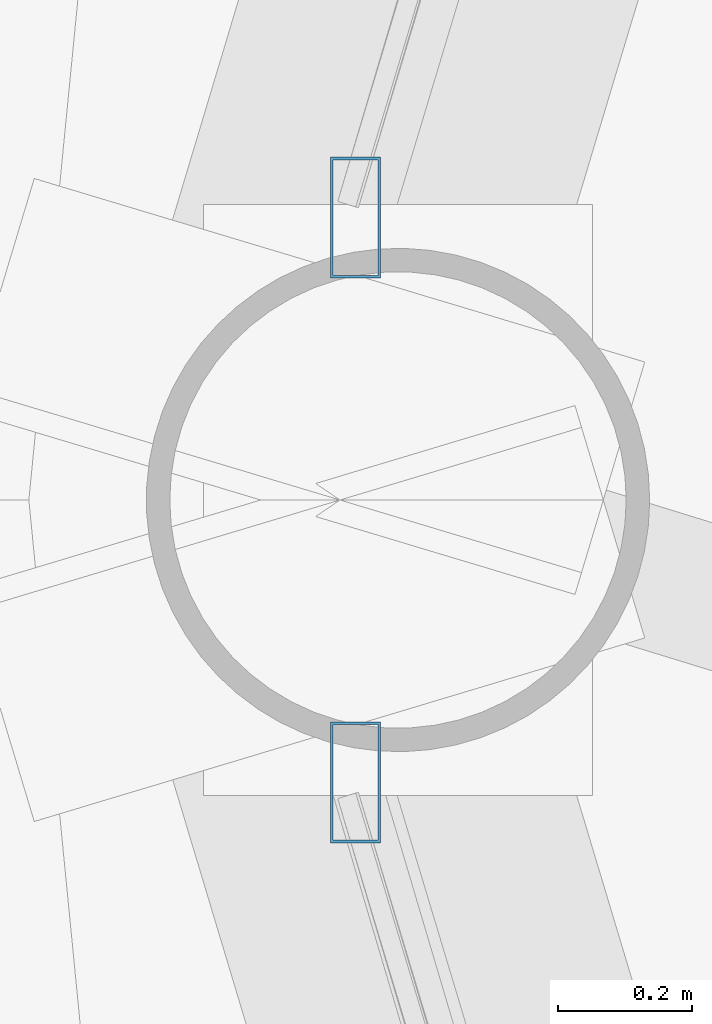
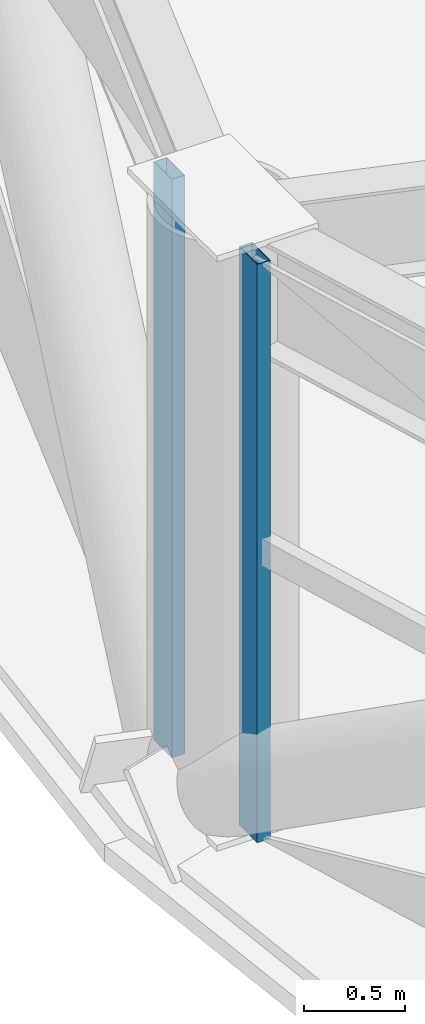
# One storey, part 6 of 29: 2 members, 2 elements without a shape of their own.
"""IFC4 building model written with IfcOpenShell, lengths in metres."""

import ifcopenshell
import ifcopenshell.guid

model = None  # the IFC model being written
_history = None  # IfcOwnerHistory: only IFC2X3 demands one
_inside = {}  # id of a spatial element -> (the spatial element, [elements in it])
_under = {}  # id of a project, library or spatial element -> (it, [spatial elements below it])
_declared = {}  # id of a project -> (the project, [libraries it declares])
_typed = {}  # id of a type object -> (the type object, [elements of that type])
_made_of = {}  # id of a material, layer set ... -> (it, [elements and type objects made of it])


def new_model(schema):
    """Start an empty IFC model of exactly this schema.

    Asked for "IFC4X3", IfcOpenShell would pick the latest addendum, in which some entities
    have other attributes; the version numbers below select the first issue.
    IFC2X3 requires an IfcOwnerHistory on every rooted entity: one is made here for all.
    """
    global model, _history
    if schema == "IFC4X3":
        model = ifcopenshell.file(schema_version=(4, 3, 0, 0))
    else:
        model = ifcopenshell.file(schema=schema)
    _inside.clear()
    _under.clear()
    _declared.clear()
    _typed.clear()
    _made_of.clear()
    _history = None
    if model.schema == "IFC2X3":
        org = make("IfcOrganization", Name="unknown")
        user = make(
            "IfcPersonAndOrganization",
            ThePerson=make("IfcPerson", FamilyName="unknown"),
            TheOrganization=org,
        )
        app = make(
            "IfcApplication",
            ApplicationDeveloper=org,
            Version="unknown",
            ApplicationFullName="unknown",
            ApplicationIdentifier="unknown",
        )
        _history = make(
            "IfcOwnerHistory",
            OwningUser=user,
            OwningApplication=app,
            ChangeAction="ADDED",
            CreationDate=0,
        )
    return model


def make(cls, **values):
    """One entity of the class cls with the attributes given. An attribute that is None is left unset."""
    return model.create_entity(
        cls, **{name: value for name, value in values.items() if value is not None}
    )


def rooted(cls, **values):
    """An entity with a GlobalId (a new one), such as an element, a storey or a relation."""
    return make(cls, GlobalId=ifcopenshell.guid.new(), OwnerHistory=_history, **values)


def si_unit(unit_type, name, prefix=None):
    """IfcSIUnit, for example si_unit("LENGTHUNIT", "METRE", prefix="MILLI")."""
    return make("IfcSIUnit", UnitType=unit_type, Prefix=prefix, Name=name)


def assignment(units):
    """IfcUnitAssignment: the units of a project."""
    return None if units is None else make("IfcUnitAssignment", Units=units)


def point(xyz):
    """IfcCartesianPoint."""
    return None if xyz is None else make("IfcCartesianPoint", Coordinates=xyz)


def direction(xyz):
    """IfcDirection."""
    return None if xyz is None else make("IfcDirection", DirectionRatios=xyz)


def frame(location, z_axis=None, x_axis=None):
    """IfcAxis2Placement3D, a coordinate frame: its origin and axes. An axis left out is left unset."""
    return make(
        "IfcAxis2Placement3D",
        Location=point(location),
        Axis=direction(z_axis),
        RefDirection=direction(x_axis),
    )


def frame_2d(location, x_axis=None):
    """IfcAxis2Placement2D, a coordinate frame in the plane: its origin and x axis."""
    return make(
        "IfcAxis2Placement2D", Location=point(location), RefDirection=direction(x_axis)
    )


def origin():
    """The frame at (0, 0, 0) with its axes left unset."""
    return frame((0.0, 0.0, 0.0))


def origin_2d():
    """The frame at (0, 0) in the plane with its x axis left unset."""
    return frame_2d((0.0, 0.0))


def place(relative_to, where):
    """IfcLocalPlacement: puts the frame where relative to a parent placement (None: the world)."""
    return make(
        "IfcLocalPlacement", PlacementRelTo=relative_to, RelativePlacement=where
    )


def context(
    kind, dimensions, precision=None, world=None, true_north=None, identifier=None
):
    """IfcGeometricRepresentationContext, for example the 3D "Model" context."""
    return make(
        "IfcGeometricRepresentationContext",
        ContextIdentifier=identifier,
        ContextType=kind,
        CoordinateSpaceDimension=dimensions,
        Precision=precision,
        WorldCoordinateSystem=world,
        TrueNorth=true_north,
    )


def subcontext(parent, identifier, kind, view, scale=None):
    """IfcGeometricRepresentationSubContext, for example "Body" below "Model"."""
    return make(
        "IfcGeometricRepresentationSubContext",
        ContextIdentifier=identifier,
        ContextType=kind,
        ParentContext=parent,
        TargetScale=scale,
        TargetView=view,
    )


def project(units=None, contexts=None):
    """IfcProject with its units and contexts."""
    return rooted(
        "IfcProject",
        Name="project",
        RepresentationContexts=contexts,
        UnitsInContext=assignment(units),
    )


def spatial(cls, under=None, at=None, **own):
    """A site, building, storey or space (cls), placed at a placement, below another one or the project."""
    s = rooted(cls, ObjectPlacement=at, **own)
    if under is not None:
        _under.setdefault(under.id(), (under, []))[1].append(s)
    return s


def profile(cls, at=None, kind="AREA", **sizes):
    """A parametric profile (cls). Its sizes go by their IFC names, for example OverallWidth=200.0."""
    return make(cls, ProfileType=kind, Position=at, **sizes)


def hollow_rectangle(**sizes):
    """IfcRectangleHollowProfileDef."""
    return profile("IfcRectangleHollowProfileDef", **sizes)


def extrude(swept, where, along, depth):
    """IfcExtrudedAreaSolid: the profile swept, set in the frame where, extruded along a direction by depth."""
    return make(
        "IfcExtrudedAreaSolid",
        SweptArea=swept,
        Position=where,
        ExtrudedDirection=direction(along),
        Depth=depth,
    )


def shape(context_of_items, identifier, shape_type, items):
    """IfcShapeRepresentation: the items that make up one representation, for example the "Body"."""
    return make(
        "IfcShapeRepresentation",
        ContextOfItems=context_of_items,
        RepresentationIdentifier=identifier,
        RepresentationType=shape_type,
        Items=items,
    )


def material(Name=None, Category=None):
    """IfcMaterial."""
    return make("IfcMaterial", Name=Name, Category=Category)


def layer(
    of_material, thickness, ventilated=None, Name=None, Category=None, Priority=None
):
    """IfcMaterialLayer: one layer of a wall or slab, of a material (None: an air gap)."""
    return make(
        "IfcMaterialLayer",
        Material=of_material,
        LayerThickness=thickness,
        IsVentilated=ventilated,
        Name=Name,
        Category=Category,
        Priority=Priority,
    )


def layer_set(layers, Name=None):
    """IfcMaterialLayerSet."""
    return make("IfcMaterialLayerSet", MaterialLayers=layers, LayerSetName=Name)


def material_profile(
    of_material, cross_section, Name=None, Category=None, Priority=None
):
    """IfcMaterialProfile: a cross section and its material."""
    return make(
        "IfcMaterialProfile",
        Name=Name,
        Material=of_material,
        Profile=cross_section,
        Priority=Priority,
        Category=Category,
    )


def profile_set(profiles, Name=None, composite=None):
    """IfcMaterialProfileSet."""
    return make(
        "IfcMaterialProfileSet",
        Name=Name,
        MaterialProfiles=profiles,
        CompositeProfile=composite,
    )


def made_of(thing, what):
    """Note that an element or type object is made of a material, layer set ...; save() writes the relation."""
    if what is not None:
        _made_of.setdefault(what.id(), (what, []))[1].append(thing)
    return thing


def type_object(cls, material=None, **own):
    """A type object (cls), such as IfcWallType, which elements share."""
    return made_of(rooted(cls, **own), material)


def element(
    cls,
    number,
    at=None,
    inside=None,
    cuts=None,
    type_object=None,
    material=None,
    context=None,
    identifier="Body",
    shape_type=None,
    held_by="IfcProductDefinitionShape",
    body=None,
    shapes=None,
    **own,
):
    """One element of the class cls, such as IfcWall. Its Tag is "e" and its number.

    at: its placement. inside: the storey or other place that contains it. cuts: it is an
    opening in that element (IfcRelVoidsElement). A single representation is given by context,
    identifier, shape_type and body (its items); several are given by shapes. held_by: the class
    of the entity that holds the representations. save() writes the other relations.
    """
    e = rooted(cls, Tag="e%d" % number, ObjectPlacement=at, **own)
    if body is not None:
        shapes = [shape(context, identifier, shape_type, body)]
    if shapes is not None:
        e.Representation = make(held_by, Representations=shapes)
    if inside is not None:
        _inside.setdefault(inside.id(), (inside, []))[1].append(e)
    if cuts is not None:
        rooted(
            "IfcRelVoidsElement", RelatingBuildingElement=cuts, RelatedOpeningElement=e
        )
    if type_object is not None:
        _typed.setdefault(type_object.id(), (type_object, []))[1].append(e)
    return made_of(e, material)


def aggregate(whole, parts):
    """IfcRelAggregates: a whole, such as a stair, and the parts it consists of."""
    return rooted("IfcRelAggregates", RelatingObject=whole, RelatedObjects=parts)


def save(model, path):
    """Write the relations noted so far, then the file.

    IfcRelAggregates (storeys below a building ...), IfcRelContainedInSpatialStructure (elements
    in a storey), IfcRelDefinesByType, IfcRelAssociatesMaterial and IfcRelDeclares: one each for
    every whole, place, type object, material and project.
    """
    for whole, parts in _under.values():
        aggregate(whole, parts)
    for where, things in _inside.values():
        rooted(
            "IfcRelContainedInSpatialStructure",
            RelatedElements=things,
            RelatingStructure=where,
        )
    for kind, things in _typed.values():
        rooted("IfcRelDefinesByType", RelatedObjects=things, RelatingType=kind)
    for what, things in _made_of.values():
        rooted("IfcRelAssociatesMaterial", RelatedObjects=things, RelatingMaterial=what)
    for by, libraries in _declared.values():
        rooted("IfcRelDeclares", RelatingContext=by, RelatedDefinitions=libraries)
    model.write(path)


model = new_model("IFC4")

# Units and contexts
model_context = context("Model", 3, precision=1e-05, world=origin(), true_north=direction((0.0, 1.0)))
body_context = subcontext(model_context, "Body", "Model", "MODEL_VIEW")
ifc_project = project(units=[si_unit("LENGTHUNIT", "METRE"), si_unit("AREAUNIT", "SQUARE_METRE"), si_unit("VOLUMEUNIT", "CUBIC_METRE"), si_unit("PLANEANGLEUNIT", "RADIAN"), si_unit("MASSUNIT", "GRAM", prefix="KILO")], contexts=[model_context])

# Site, building, storey
site_placement = place(None, origin())
site = spatial("IfcSite", under=ifc_project, at=site_placement, CompositionType="ELEMENT")
building_placement = place(site_placement, origin())
building = spatial("IfcBuilding", under=site, at=building_placement, Name="Vantalir Tower", CompositionType="ELEMENT")
storey_placement = place(building_placement, frame((0.0, 0.0, 164.699951171875)))
storey = spatial("IfcBuildingStorey", under=building, at=storey_placement, Name="L41", CompositionType="ELEMENT", Elevation=164.699951171875)

# Curtain wall, member
ifc_material_1 = material(Name="Champagne-silver PVDF aluminium and double-silver Low-E glass", Category="aluminium")
ifc_layer = layer(ifc_material_1, 0.199951171875)
ifc_layer_set = layer_set([ifc_layer], Name="Champagne-silver PVDF aluminium and double-silver Low-E glass")
curtain_wall_type = type_object("IfcCurtainWallType", Name="CW-DIAMOND-Z2", PredefinedType="USERDEFINED", material=ifc_layer_set)
curtain_wall_1_placement = place(storey_placement, origin())
curtain_wall_1 = element("IfcCurtainWall", 1, at=curtain_wall_1_placement, inside=storey, type_object=curtain_wall_type, Name="L41 Quilted Pyramid-Diamond Curtain Wall S06", ObjectType="UNITISED CURTAIN WALL", PredefinedType="USERDEFINED")
ifc_material_2 = material(Name="Champagne-silver PVDF aluminium 6063-T6", Category="aluminium")
ifc_material_profile = material_profile(ifc_material_2, hollow_rectangle(XDim=0.074951171875, YDim=0.179931640625, WallThickness=0.00390625, at=origin_2d()), Name="Champagne-silver PVDF aluminium 6063-T6")
ifc_profile_set = profile_set([ifc_material_profile], Name="Champagne-silver PVDF aluminium 6063-T6")
member_type = type_object("IfcMemberType", Name="CWM-180x75", PredefinedType="MULLION", material=ifc_profile_set)
member_1_placement = place(storey_placement, frame((6.90087890625, 25.4208984375, 0.045166015625), z_axis=(0.0, 0.0, 1.0), x_axis=(1.0, 0.0, 0.0)))
member_1 = element("IfcMember", 2, at=member_1_placement, type_object=member_type, Name="CW-L41-S06 Mullion 2", PredefinedType="MULLION", context=body_context, shape_type="SweptSolid", body=[
    extrude(hollow_rectangle(XDim=0.074951171875, YDim=0.179931640625, WallThickness=0.00390625, at=origin_2d()), origin(), (0.0, 0.0, 1.0), 3.47998046875),
])
aggregate(curtain_wall_1, [member_1])

curtain_wall_2_placement = place(storey_placement, origin())
curtain_wall_2 = element("IfcCurtainWall", 3, at=curtain_wall_2_placement, inside=storey, type_object=curtain_wall_type, Name="L41 Quilted Pyramid-Diamond Curtain Wall S07", ObjectType="UNITISED CURTAIN WALL", PredefinedType="USERDEFINED")
member_2_placement = place(storey_placement, frame((6.90087890625, 24.5791015625, 0.045166015625), z_axis=(0.0, 0.0, 1.0), x_axis=(1.0, 0.0, 0.0)))
member_2 = element("IfcMember", 4, at=member_2_placement, type_object=member_type, Name="CW-L41-S07 Mullion 1", PredefinedType="MULLION", context=body_context, shape_type="SweptSolid", body=[
    extrude(hollow_rectangle(XDim=0.074951171875, YDim=0.179931640625, WallThickness=0.00390625, at=origin_2d()), origin(), (0.0, 0.0, 1.0), 3.47998046875),
])
aggregate(curtain_wall_2, [member_2])

save(model, "model.ifc")
